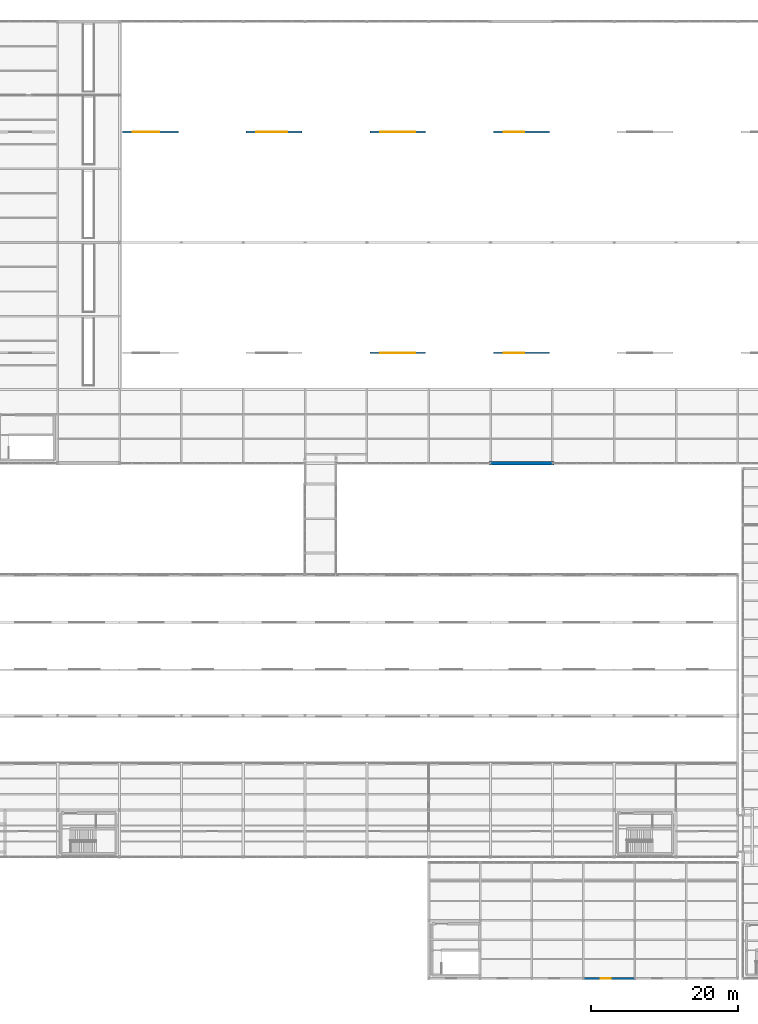
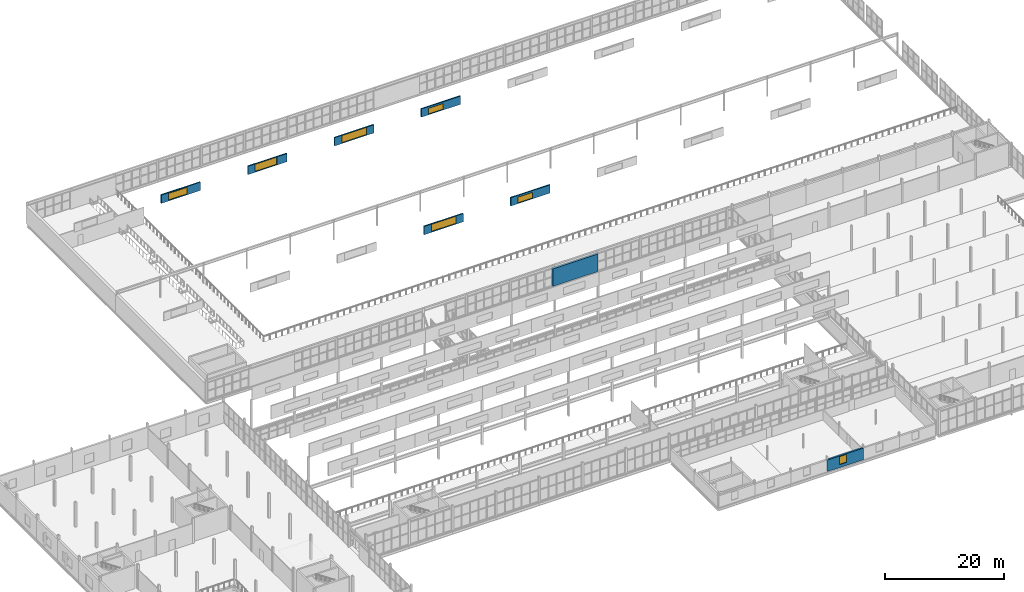
# One storey, part 204 of 218: 8 walls, 7 windows, 7 openings.
"""IFC4 building model written with IfcOpenShell, lengths in metres."""

from ifc_helpers import new_model, si_unit, direction, frame, frame_2d, origin, place, context, subcontext, project, spatial, rectangle, extrude, material, layer, layer_set, type_object, element, fill, save


model = new_model("IFC4")

# Units and contexts
model_context = context("Model", 3, precision=1e-05, world=origin(), true_north=direction((0.0, 1.0)))
body_context = subcontext(model_context, "Body", "Model", "MODEL_VIEW")
ifc_project = project(units=[si_unit("LENGTHUNIT", "METRE"), si_unit("AREAUNIT", "SQUARE_METRE"), si_unit("VOLUMEUNIT", "CUBIC_METRE"), si_unit("PLANEANGLEUNIT", "RADIAN"), si_unit("MASSUNIT", "GRAM", prefix="KILO")], contexts=[model_context])

# Site, building, storey
site_placement = place(None, origin())
site = spatial("IfcSite", under=ifc_project, at=site_placement, CompositionType="ELEMENT")
building_placement = place(site_placement, origin())
building = spatial("IfcBuilding", under=site, at=building_placement, Name="Kazenagashi Tramway Depot", CompositionType="ELEMENT")
storey_placement = place(building_placement, frame((0.0, 0.0, 6.0)))
storey = spatial("IfcBuildingStorey", under=building, at=storey_placement, Name="L02", CompositionType="ELEMENT", Elevation=6.0)

# Wall
ifc_material_1 = material(Name="Clay Brick Masonry JIS R 1250 Class 1 (20 MPa)", Category="masonry")
ifc_layer_1 = layer(ifc_material_1, 0.43)
ifc_layer_set_1 = layer_set([ifc_layer_1], Name="Clay Brick Masonry JIS R 1250 Class 1 (20 MPa)")
wall_type_1 = type_object("IfcWallType", Name="W-BK1", PredefinedType="SOLIDWALL", material=ifc_layer_set_1)
wall_1_placement = place(storey_placement, frame((111.8, 70.0, 0.0), z_axis=(0.0, 0.0, 1.0), x_axis=(1.0, 0.0, 0.0)))
element("IfcWall", 1, at=wall_1_placement, inside=storey, type_object=wall_type_1, Name="Exterior Brick Wall W-BK1 EWALL-0018", PredefinedType="SOLIDWALL", context=body_context, shape_type="SweptSolid", body=[
    extrude(rectangle(XDim=8.8, YDim=0.43, at=frame_2d((4.4, 0.0))), origin(), (0.0, 0.0, 1.0), 3.6),
])

# Wall, opening, window
ifc_layer_2 = layer(ifc_material_1, 0.32)
ifc_layer_set_2 = layer_set([ifc_layer_2], Name="Clay Brick Masonry JIS R 1250 Class 1 (20 MPa)")
wall_type_2 = type_object("IfcWallType", Name="W-BK3", PredefinedType="SOLIDWALL", material=ifc_layer_set_2)
wall_2_placement = place(storey_placement, frame((124.6, 0.0, 0.0), z_axis=(0.0, 0.0, 1.0), x_axis=(1.0, 0.0, 0.0)))
wall_2 = element("IfcWall", 2, at=wall_2_placement, inside=storey, type_object=wall_type_2, Name="Exterior Brick Wall W-BK3 EWALL-0284", PredefinedType="SOLIDWALL", context=body_context, shape_type="SweptSolid", body=[
    extrude(rectangle(XDim=7.0, YDim=0.32, at=frame_2d((3.5, 0.0))), origin(), (0.0, 0.0, 1.0), 2.38),
])
opening_1_placement = place(wall_2_placement, frame((2.4, 0.0, 0.6)))
opening_1 = element("IfcOpeningElement", 3, at=opening_1_placement, cuts=wall_2, Name="Opening WN-17", PredefinedType="OPENING", context=body_context, shape_type="SweptSolid", body=[
    extrude(rectangle(XDim=1.35, YDim=1.65, at=frame_2d((0.675, 0.825))), frame((0.0, 0.17, 0.0), z_axis=(0.0, -1.0, 0.0), x_axis=(1.0, 0.0, 0.0)), (0.0, 0.0, 1.0), 0.34),
])
ifc_material_2 = material(Name="Anodised Aluminium and Tempered Low-E Glass", Category="aluminium")
window_type_1 = type_object("IfcWindowType", Name="WN-17", PartitioningType="SINGLE_PANEL", PredefinedType="WINDOW", material=ifc_material_2)
window_1_placement = place(opening_1_placement, origin())
window_1 = element("IfcWindow", 4, at=window_1_placement, inside=storey, type_object=window_type_1, Name="Window WN-17 WIN-0248", OverallHeight=1.65, OverallWidth=1.35, PartitioningType="SINGLE_PANEL", PredefinedType="WINDOW", context=body_context, shape_type="SweptSolid", body=[
    extrude(rectangle(XDim=1.35, YDim=1.65, at=frame_2d((0.675, 0.825))), frame((0.0, 0.03, 0.0), z_axis=(0.0, -1.0, 0.0), x_axis=(1.0, 0.0, 0.0)), (0.0, 0.0, 1.0), 0.06),
])
fill(opening_1, window_1)

ifc_material_3 = material(Name="Galvanised Steel Sheet Insulated Monitor Wall", Category="steel")
ifc_layer_3 = layer(ifc_material_3, 0.24)
ifc_layer_set_3 = layer_set([ifc_layer_3], Name="Galvanised Steel Sheet Insulated Monitor Wall")
wall_type_3 = type_object("IfcWallType", Name="W-MN1", PredefinedType="SOLIDWALL", material=ifc_layer_set_3)
wall_3_placement = place(storey_placement, frame((95.6, 85.0, 7.1), z_axis=(0.0, 0.0, 1.0), x_axis=(1.0, 0.0, 0.0)))
wall_3 = element("IfcWall", 5, at=wall_3_placement, inside=storey, type_object=wall_type_3, Name="Exterior Brick Wall W-MN1 EWALL-0053", PredefinedType="SOLIDWALL", context=body_context, shape_type="SweptSolid", body=[
    extrude(rectangle(XDim=7.6, YDim=0.24, at=frame_2d((3.8, 0.0))), origin(), (0.0, 0.0, 1.0), 1.7),
])
opening_2_placement = place(wall_3_placement, frame((1.4, 0.0, 0.15)))
opening_2 = element("IfcOpeningElement", 6, at=opening_2_placement, cuts=wall_3, Name="Opening SK-04", PredefinedType="OPENING", context=body_context, shape_type="SweptSolid", body=[
    extrude(rectangle(XDim=4.8, YDim=1.5, at=frame_2d((2.4, 0.75))), frame((0.0, 0.13, 0.0), z_axis=(0.0, -1.0, 0.0), x_axis=(1.0, 0.0, 0.0)), (0.0, 0.0, 1.0), 0.26),
])
ifc_material_4 = material(Name="Wired Fire-Rated Glass and Aluminium Frame", Category="aluminium")
window_type_2 = type_object("IfcWindowType", Name="SK-04", PartitioningType="SINGLE_PANEL", PredefinedType="SKYLIGHT", material=ifc_material_4)
window_2_placement = place(opening_2_placement, origin())
window_2 = element("IfcWindow", 7, at=window_2_placement, inside=storey, type_object=window_type_2, Name="Window SK-04 WIN-0030", OverallHeight=1.5, OverallWidth=4.8, PartitioningType="SINGLE_PANEL", PredefinedType="SKYLIGHT", context=body_context, shape_type="SweptSolid", body=[
    extrude(rectangle(XDim=4.8, YDim=1.5, at=frame_2d((2.4, 0.75))), frame((0.0, 0.03, 0.0), z_axis=(0.0, -1.0, 0.0), x_axis=(1.0, 0.0, 0.0)), (0.0, 0.0, 1.0), 0.06),
])
fill(opening_2, window_2)

wall_4_placement = place(storey_placement, frame((112.4, 85.0, 7.1), z_axis=(0.0, 0.0, 1.0), x_axis=(1.0, 0.0, 0.0)))
wall_4 = element("IfcWall", 8, at=wall_4_placement, inside=storey, type_object=wall_type_3, Name="Exterior Brick Wall W-MN1 EWALL-0054", PredefinedType="SOLIDWALL", context=body_context, shape_type="SweptSolid", body=[
    extrude(rectangle(XDim=7.6, YDim=0.24, at=frame_2d((3.8, 0.0))), origin(), (0.0, 0.0, 1.0), 1.7),
])
opening_3_placement = place(wall_4_placement, frame((1.4, 0.0, 0.15)))
opening_3 = element("IfcOpeningElement", 9, at=opening_3_placement, cuts=wall_4, Name="Opening SK-05", PredefinedType="OPENING", context=body_context, shape_type="SweptSolid", body=[
    extrude(rectangle(XDim=2.8, YDim=1.2, at=frame_2d((1.4, 0.6))), frame((0.0, 0.13, 0.0), z_axis=(0.0, -1.0, 0.0), x_axis=(1.0, 0.0, 0.0)), (0.0, 0.0, 1.0), 0.26),
])
window_type_3 = type_object("IfcWindowType", Name="SK-05", PartitioningType="SINGLE_PANEL", PredefinedType="SKYLIGHT", material=ifc_material_4)
window_3_placement = place(opening_3_placement, origin())
window_3 = element("IfcWindow", 10, at=window_3_placement, inside=storey, type_object=window_type_3, Name="Window SK-05 WIN-0031", OverallHeight=1.2, OverallWidth=2.8, PartitioningType="SINGLE_PANEL", PredefinedType="SKYLIGHT", context=body_context, shape_type="SweptSolid", body=[
    extrude(rectangle(XDim=2.8, YDim=1.2, at=frame_2d((1.4, 0.6))), frame((0.0, 0.03, 0.0), z_axis=(0.0, -1.0, 0.0), x_axis=(1.0, 0.0, 0.0)), (0.0, 0.0, 1.0), 0.06),
])
fill(opening_3, window_3)

wall_5_placement = place(storey_placement, frame((62.0, 115.0, 7.1), z_axis=(0.0, 0.0, 1.0), x_axis=(1.0, 0.0, 0.0)))
wall_5 = element("IfcWall", 11, at=wall_5_placement, inside=storey, type_object=wall_type_3, Name="Exterior Brick Wall W-MN1 EWALL-0060", PredefinedType="SOLIDWALL", context=body_context, shape_type="SweptSolid", body=[
    extrude(rectangle(XDim=7.6, YDim=0.24, at=frame_2d((3.8, 0.0))), origin(), (0.0, 0.0, 1.0), 1.7),
])
opening_4_placement = place(wall_5_placement, frame((1.4, 0.0, 0.15)))
opening_4 = element("IfcOpeningElement", 12, at=opening_4_placement, cuts=wall_5, Name="Opening SK-02", PredefinedType="OPENING", context=body_context, shape_type="SweptSolid", body=[
    extrude(rectangle(XDim=3.6, YDim=1.4, at=frame_2d((1.8, 0.7))), frame((0.0, 0.13, 0.0), z_axis=(0.0, -1.0, 0.0), x_axis=(1.0, 0.0, 0.0)), (0.0, 0.0, 1.0), 0.26),
])
window_type_4 = type_object("IfcWindowType", Name="SK-02", PartitioningType="SINGLE_PANEL", PredefinedType="SKYLIGHT", material=ifc_material_4)
window_4_placement = place(opening_4_placement, origin())
window_4 = element("IfcWindow", 13, at=window_4_placement, inside=storey, type_object=window_type_4, Name="Window SK-02 WIN-0037", OverallHeight=1.4, OverallWidth=3.6, PartitioningType="SINGLE_PANEL", PredefinedType="SKYLIGHT", context=body_context, shape_type="SweptSolid", body=[
    extrude(rectangle(XDim=3.6, YDim=1.4, at=frame_2d((1.8, 0.7))), frame((0.0, 0.03, 0.0), z_axis=(0.0, -1.0, 0.0), x_axis=(1.0, 0.0, 0.0)), (0.0, 0.0, 1.0), 0.06),
])
fill(opening_4, window_4)

wall_6_placement = place(storey_placement, frame((78.8, 115.0, 7.1), z_axis=(0.0, 0.0, 1.0), x_axis=(1.0, 0.0, 0.0)))
wall_6 = element("IfcWall", 14, at=wall_6_placement, inside=storey, type_object=wall_type_3, Name="Exterior Brick Wall W-MN1 EWALL-0061", PredefinedType="SOLIDWALL", context=body_context, shape_type="SweptSolid", body=[
    extrude(rectangle(XDim=7.6, YDim=0.24, at=frame_2d((3.8, 0.0))), origin(), (0.0, 0.0, 1.0), 1.7),
])
opening_5_placement = place(wall_6_placement, frame((1.4, 0.0, 0.15)))
opening_5 = element("IfcOpeningElement", 15, at=opening_5_placement, cuts=wall_6, Name="Opening SK-03", PredefinedType="OPENING", context=body_context, shape_type="SweptSolid", body=[
    extrude(rectangle(XDim=4.2, YDim=1.5, at=frame_2d((2.1, 0.75))), frame((0.0, 0.13, 0.0), z_axis=(0.0, -1.0, 0.0), x_axis=(1.0, 0.0, 0.0)), (0.0, 0.0, 1.0), 0.26),
])
window_type_5 = type_object("IfcWindowType", Name="SK-03", PartitioningType="SINGLE_PANEL", PredefinedType="SKYLIGHT", material=ifc_material_4)
window_5_placement = place(opening_5_placement, origin())
window_5 = element("IfcWindow", 16, at=window_5_placement, inside=storey, type_object=window_type_5, Name="Window SK-03 WIN-0038", OverallHeight=1.5, OverallWidth=4.2, PartitioningType="SINGLE_PANEL", PredefinedType="SKYLIGHT", context=body_context, shape_type="SweptSolid", body=[
    extrude(rectangle(XDim=4.2, YDim=1.5, at=frame_2d((2.1, 0.75))), frame((0.0, 0.03, 0.0), z_axis=(0.0, -1.0, 0.0), x_axis=(1.0, 0.0, 0.0)), (0.0, 0.0, 1.0), 0.06),
])
fill(opening_5, window_5)

wall_7_placement = place(storey_placement, frame((95.6, 115.0, 7.1), z_axis=(0.0, 0.0, 1.0), x_axis=(1.0, 0.0, 0.0)))
wall_7 = element("IfcWall", 17, at=wall_7_placement, inside=storey, type_object=wall_type_3, Name="Exterior Brick Wall W-MN1 EWALL-0062", PredefinedType="SOLIDWALL", context=body_context, shape_type="SweptSolid", body=[
    extrude(rectangle(XDim=7.6, YDim=0.24, at=frame_2d((3.8, 0.0))), origin(), (0.0, 0.0, 1.0), 1.7),
])
opening_6_placement = place(wall_7_placement, frame((1.4, 0.0, 0.15)))
opening_6 = element("IfcOpeningElement", 18, at=opening_6_placement, cuts=wall_7, Name="Opening SK-04", PredefinedType="OPENING", context=body_context, shape_type="SweptSolid", body=[
    extrude(rectangle(XDim=4.8, YDim=1.5, at=frame_2d((2.4, 0.75))), frame((0.0, 0.13, 0.0), z_axis=(0.0, -1.0, 0.0), x_axis=(1.0, 0.0, 0.0)), (0.0, 0.0, 1.0), 0.26),
])
window_6_placement = place(opening_6_placement, origin())
window_6 = element("IfcWindow", 19, at=window_6_placement, inside=storey, type_object=window_type_2, Name="Window SK-04 WIN-0039", OverallHeight=1.5, OverallWidth=4.8, PartitioningType="SINGLE_PANEL", PredefinedType="SKYLIGHT", context=body_context, shape_type="SweptSolid", body=[
    extrude(rectangle(XDim=4.8, YDim=1.5, at=frame_2d((2.4, 0.75))), frame((0.0, 0.03, 0.0), z_axis=(0.0, -1.0, 0.0), x_axis=(1.0, 0.0, 0.0)), (0.0, 0.0, 1.0), 0.06),
])
fill(opening_6, window_6)

wall_8_placement = place(storey_placement, frame((112.4, 115.0, 7.1), z_axis=(0.0, 0.0, 1.0), x_axis=(1.0, 0.0, 0.0)))
wall_8 = element("IfcWall", 20, at=wall_8_placement, inside=storey, type_object=wall_type_3, Name="Exterior Brick Wall W-MN1 EWALL-0063", PredefinedType="SOLIDWALL", context=body_context, shape_type="SweptSolid", body=[
    extrude(rectangle(XDim=7.6, YDim=0.24, at=frame_2d((3.8, 0.0))), origin(), (0.0, 0.0, 1.0), 1.7),
])
opening_7_placement = place(wall_8_placement, frame((1.4, 0.0, 0.15)))
opening_7 = element("IfcOpeningElement", 21, at=opening_7_placement, cuts=wall_8, Name="Opening SK-05", PredefinedType="OPENING", context=body_context, shape_type="SweptSolid", body=[
    extrude(rectangle(XDim=2.8, YDim=1.2, at=frame_2d((1.4, 0.6))), frame((0.0, 0.13, 0.0), z_axis=(0.0, -1.0, 0.0), x_axis=(1.0, 0.0, 0.0)), (0.0, 0.0, 1.0), 0.26),
])
window_7_placement = place(opening_7_placement, origin())
window_7 = element("IfcWindow", 22, at=window_7_placement, inside=storey, type_object=window_type_3, Name="Window SK-05 WIN-0040", OverallHeight=1.2, OverallWidth=2.8, PartitioningType="SINGLE_PANEL", PredefinedType="SKYLIGHT", context=body_context, shape_type="SweptSolid", body=[
    extrude(rectangle(XDim=2.8, YDim=1.2, at=frame_2d((1.4, 0.6))), frame((0.0, 0.03, 0.0), z_axis=(0.0, -1.0, 0.0), x_axis=(1.0, 0.0, 0.0)), (0.0, 0.0, 1.0), 0.06),
])
fill(opening_7, window_7)

save(model, "model.ifc")
